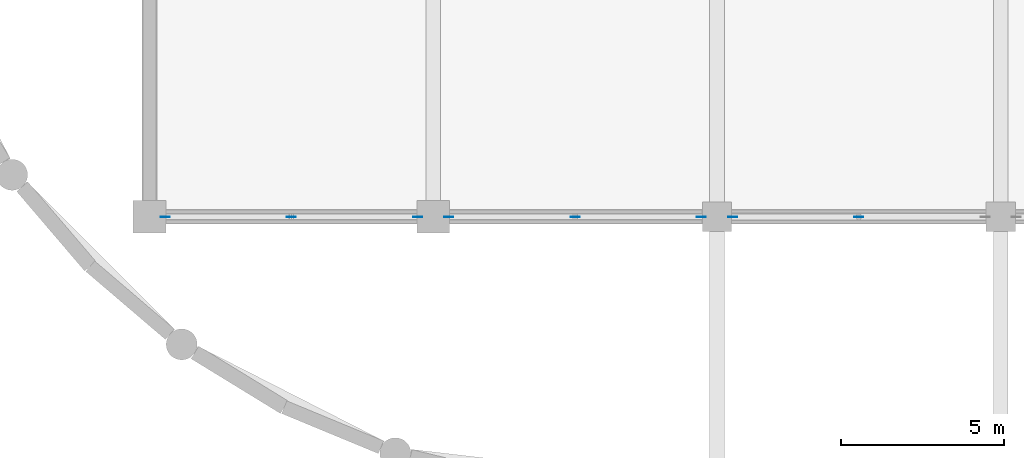
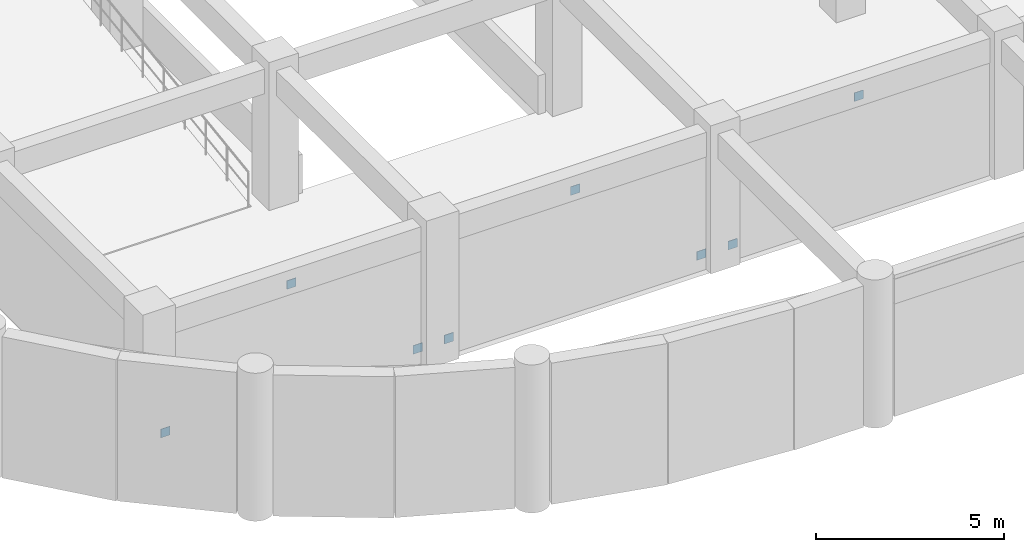
# One storey, part 7 of 19: 8 plates.
"""IFC4 building model written with IfcOpenShell, lengths in metres."""

from ifc_helpers import new_model, si_unit, derived_unit, direction, frame, origin, origin_2d, place, context, subcontext, project, spatial, rectangle, extrude, material, layer, layer_set, type_object, element, save


model = new_model("IFC4")

# Units and contexts
model_context = context("Model", 3, precision=1e-05, world=origin(), true_north=direction((0.0, 1.0)))
body_context = subcontext(model_context, "Body", "Model", "MODEL_VIEW")
ifc_project = project(units=[si_unit("LENGTHUNIT", "METRE"), si_unit("AREAUNIT", "SQUARE_METRE"), si_unit("VOLUMEUNIT", "CUBIC_METRE"), si_unit("PLANEANGLEUNIT", "RADIAN"), si_unit("MASSUNIT", "GRAM", prefix="KILO"), derived_unit("THERMALTRANSMITTANCEUNIT", [(si_unit("MASSUNIT", "GRAM", prefix="KILO"), 1), (si_unit("TIMEUNIT", "SECOND"), -3), (si_unit("THERMODYNAMICTEMPERATUREUNIT", "KELVIN"), -1)])], contexts=[model_context])

# Site, building, storey
site_placement = place(None, origin())
site = spatial("IfcSite", under=ifc_project, at=site_placement, CompositionType="ELEMENT")
building_placement = place(site_placement, origin())
building = spatial("IfcBuilding", under=site, at=building_placement, Name="Qinzheling Arcade Emporium", CompositionType="ELEMENT")
storey_placement = place(building_placement, frame((0.0, 0.0, -4.800048828125)))
storey = spatial("IfcBuildingStorey", under=building, at=storey_placement, Name="B1", CompositionType="ELEMENT", Elevation=-4.800048828125)

# Plates
ifc_material = material(Name="Structural steel Q355B", Category="steel")
ifc_layer = layer(ifc_material, 0.01611328125, Name="Structural steel Q355B", Category="steel")
ifc_layer_set = layer_set([ifc_layer], Name="Structural steel Q355B")
plate_type = type_object("IfcPlateType", Name="Structural Steel Brace Gusset Plate 16mm Q355B", PredefinedType="SHEET", material=ifc_layer_set)
for number, where, z_axis, x_axis, name in (
    (1, (9.179931640625, 8.39990234375, 0.22998046875), (0.0, 0.0, 1.0), (1.0, 0.0, 0.0), "Brace Gusset Plate PLT-GP-B1-007"),
    (2, (16.919921875, 8.39990234375, 0.22998046875), (0.0, 0.0, 1.0), (1.0, 0.0, 0.0), "Brace Gusset Plate PLT-GP-B1-008"),
    (3, (13.050048828125, 8.39990234375, 3.68994140625), (0.0, 0.0, 1.0), (1.0, 0.0, 0.0), "Brace Gusset Plate PLT-GP-B1-009"),
    (4, (17.8798828125, 8.39990234375, 0.22998046875), (0.0, 0.0, 1.0), (1.0, 0.0, 0.0), "Brace Gusset Plate PLT-GP-B1-010"),
    (5, (25.6201171875, 8.39990234375, 0.22998046875), (0.0, 0.0, 1.0), (1.0, 0.0, 0.0), "Brace Gusset Plate PLT-GP-B1-011"),
    (6, (21.75, 8.39990234375, 3.68994140625), (0.0, 0.0, 1.0), (1.0, 0.0, 0.0), "Brace Gusset Plate PLT-GP-B1-012"),
    (7, (26.580078125, 8.39990234375, 0.22998046875), (0.0, 0.0, 1.0), (1.0, 0.0, 0.0), "Brace Gusset Plate PLT-GP-B1-019"),
    (8, (30.449951171875, 8.39990234375, 3.68994140625), (0.0, 0.0, 1.0), (1.0, 0.0, 0.0), "Brace Gusset Plate PLT-GP-B1-021"),
):
    element("IfcPlate", number, at=place(storey_placement, frame(where, z_axis=z_axis, x_axis=x_axis)), inside=storey, type_object=plate_type, Name=name, PredefinedType="SHEET", context=body_context, shape_type="SweptSolid", body=[
        extrude(rectangle(XDim=0.280029296875, YDim=0.01611328125, at=origin_2d()), origin(), (0.0, 0.0, 1.0), 0.280029296875),
    ])

save(model, "model.ifc")
